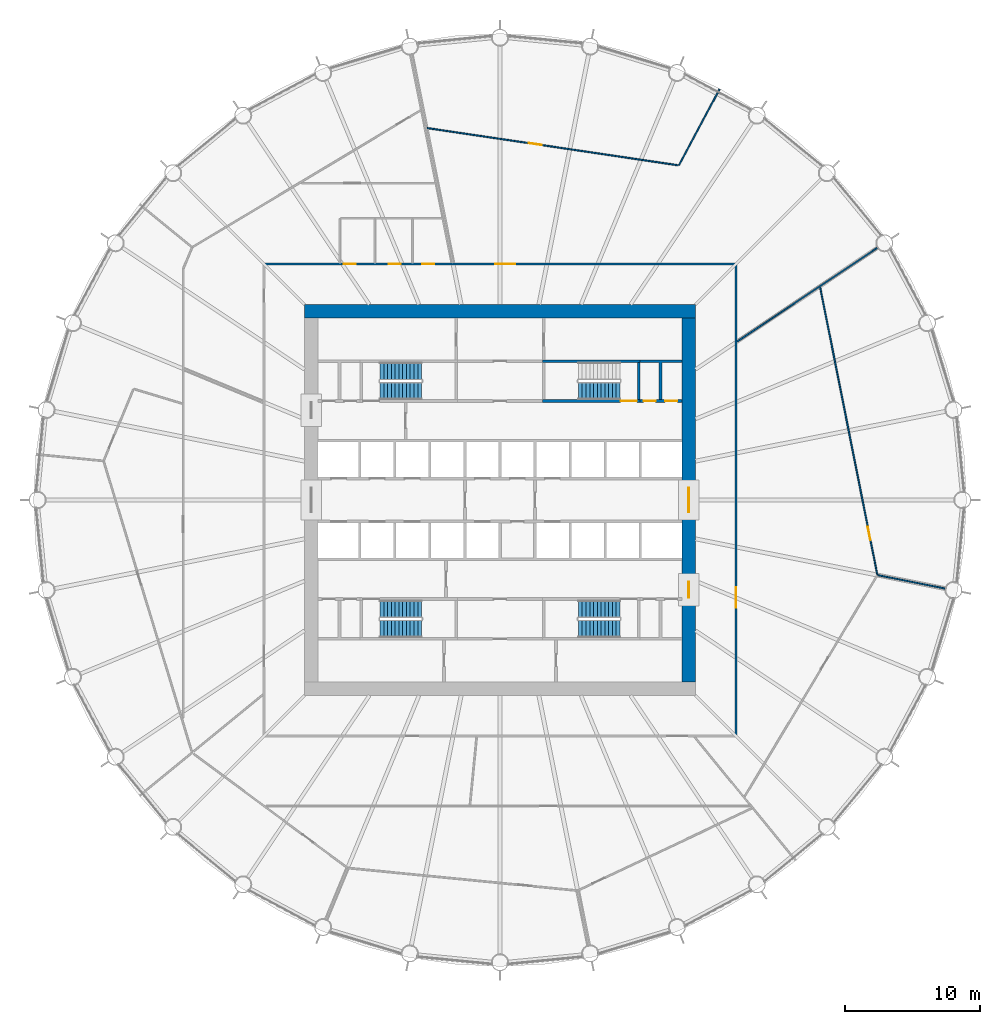
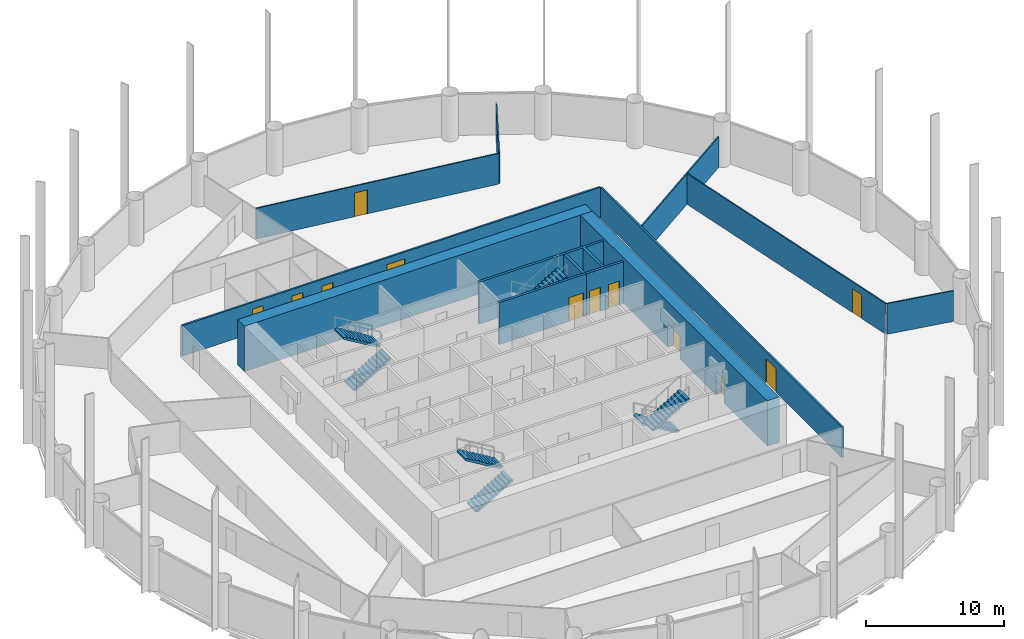
# One storey, part 7 of 10: 14 walls, 12 doors, 7 stair flights, 12 openings, 4 elements without a shape of their own.
"""IFC4 building model written with IfcOpenShell, lengths in metres."""

from ifc_helpers import new_model, si_unit, direction, frame, frame_2d, origin, place, context, subcontext, project, spatial, polyline, rectangle, outline, extrude, material, layer, layer_set, type_object, element, fill, aggregate, save


model = new_model("IFC4")

# Units and contexts
model_context = context("Model", 3, precision=1e-05, world=origin(), true_north=direction((0.0, 1.0)))
body_context = subcontext(model_context, "Body", "Model", "MODEL_VIEW")
ifc_project = project(units=[si_unit("LENGTHUNIT", "METRE"), si_unit("AREAUNIT", "SQUARE_METRE"), si_unit("VOLUMEUNIT", "CUBIC_METRE"), si_unit("PLANEANGLEUNIT", "RADIAN"), si_unit("MASSUNIT", "GRAM", prefix="KILO")], contexts=[model_context])

# Site, building, storey
site_placement = place(None, origin())
site = spatial("IfcSite", under=ifc_project, at=site_placement, CompositionType="ELEMENT")
building_placement = place(site_placement, origin())
building = spatial("IfcBuilding", under=site, at=building_placement, Name="Corvane Civic Tower", CompositionType="ELEMENT")
storey_placement = place(building_placement, frame((0.0, 0.0, 130.5)))
storey = spatial("IfcBuildingStorey", under=building, at=storey_placement, Name="L30", CompositionType="ELEMENT", Elevation=130.5)

# Wall
ifc_material_1 = material(Name="Concrete C70/85", Category="concrete")
ifc_layer_1 = layer(ifc_material_1, 1.0)
ifc_layer_set_1 = layer_set([ifc_layer_1], Name="Concrete C70/85")
wall_type_1 = type_object("IfcWallType", Name="CORE WALL 1000 C70/85", PredefinedType="SHEAR", material=ifc_layer_set_1)
wall_1_placement = place(storey_placement, frame((-14.5, 14.0, 0.0), z_axis=(0.0, 0.0, 1.0), x_axis=(1.0, 0.0, 0.0)))
element("IfcWall", 1, at=wall_1_placement, inside=storey, type_object=wall_type_1, Name="W-L30-core-N", PredefinedType="SHEAR", context=body_context, shape_type="SweptSolid", body=[
    extrude(rectangle(XDim=29.0, YDim=1.0, at=frame_2d((14.5, 0.0))), origin(), (0.0, 0.0, 1.0), 4.0),
])

# Wall, openings, doors
wall_2_placement = place(storey_placement, frame((14.0, -13.5, 0.0), z_axis=(0.0, 0.0, 1.0), x_axis=(0.0, 1.0, 0.0)))
wall_2 = element("IfcWall", 2, at=wall_2_placement, inside=storey, type_object=wall_type_1, Name="W-L30-core-E", PredefinedType="SHEAR", context=body_context, shape_type="SweptSolid", body=[
    extrude(rectangle(XDim=27.0, YDim=1.0, at=frame_2d((13.5, 0.0))), origin(), (0.0, 0.0, 1.0), 4.0),
])
opening_1_placement = place(wall_2_placement, frame((12.60009765625, 0.0, 0.0)))
opening_1 = element("IfcOpeningElement", 3, at=opening_1_placement, cuts=wall_2, Name="Opening L30.C27", PredefinedType="OPENING", context=body_context, shape_type="SweptSolid", body=[
    extrude(rectangle(XDim=1.800048828125, YDim=2.10009765625, at=frame_2d((0.89990234375, 1.050048828125))), frame((0.0, 0.510009765625, 0.0), z_axis=(0.0, -1.0, 0.0), x_axis=(1.0, 0.0, 0.0)), (0.0, 0.0, 1.0), 1.02001953125),
])
opening_2_placement = place(wall_2_placement, frame((6.25, 0.0, 0.0)))
opening_2 = element("IfcOpeningElement", 4, at=opening_2_placement, cuts=wall_2, Name="Opening L30.C29", PredefinedType="OPENING", context=body_context, shape_type="SweptSolid", body=[
    extrude(rectangle(XDim=1.199951171875, YDim=2.10009765625, at=frame_2d((0.60009765625, 1.050048828125))), frame((0.0, 0.510009765625, 0.0), z_axis=(0.0, -1.0, 0.0), x_axis=(1.0, 0.0, 0.0)), (0.0, 0.0, 1.0), 1.02001953125),
])
ifc_material_2 = material(Name="Steel fire door leaf", Category="steel")
door_type_1 = type_object("IfcDoorType", Name="CR-DOOR-CORE-1800", OperationType="DOUBLE_DOOR_SINGLE_SWING", PredefinedType="DOOR", material=ifc_material_2)
door_1_placement = place(opening_1_placement, origin())
door_1 = element("IfcDoor", 5, at=door_1_placement, inside=storey, type_object=door_type_1, Name="L30 door", OperationType="DOUBLE_DOOR_SINGLE_SWING", OverallHeight=2.10009765625, OverallWidth=1.800048828125, PredefinedType="DOOR", context=body_context, shape_type="SweptSolid", body=[
    extrude(rectangle(XDim=1.800048828125, YDim=2.10009765625, at=frame_2d((0.89990234375, 1.050048828125))), frame((0.0, 0.02490234375, 0.0), z_axis=(0.0, -1.0, 0.0), x_axis=(1.0, 0.0, 0.0)), (0.0, 0.0, 1.0), 0.050048828125),
])
fill(opening_1, door_1)
door_2_placement = place(opening_2_placement, origin())
door_2 = element("IfcDoor", 6, at=door_2_placement, inside=storey, type_object=door_type_1, Name="L30 door", OperationType="DOUBLE_DOOR_SINGLE_SWING", OverallHeight=2.10009765625, OverallWidth=1.199951171875, PredefinedType="DOOR", context=body_context, shape_type="SweptSolid", body=[
    extrude(rectangle(XDim=1.199951171875, YDim=2.10009765625, at=frame_2d((0.60009765625, 1.050048828125))), frame((0.0, 0.02490234375, 0.0), z_axis=(0.0, -1.0, 0.0), x_axis=(1.0, 0.0, 0.0)), (0.0, 0.0, 1.0), 0.050048828125),
])
fill(opening_2, door_2)

ifc_material_3 = material(Name="Concrete C30/37", Category="concrete")
ifc_layer_2 = layer(ifc_material_3, 0.199951171875)
ifc_layer_set_2 = layer_set([ifc_layer_2], Name="Concrete C30/37")
wall_type_2 = type_object("IfcWallType", Name="CR-WALL-200", PredefinedType="PARTITIONING", material=ifc_layer_set_2)
wall_3_placement = place(storey_placement, frame((10.39990234375, 7.35009765625, 0.0), z_axis=(0.0, 0.0, 1.0), x_axis=(1.0, 0.0, 0.0)))
wall_3 = element("IfcWall", 7, at=wall_3_placement, inside=storey, type_object=wall_type_2, Name="L30 core partition wall", PredefinedType="PARTITIONING", context=body_context, shape_type="SweptSolid", body=[
    extrude(rectangle(XDim=3.10009765625, YDim=0.199951171875, at=frame_2d((1.550048828125, 0.0))), origin(), (0.0, 0.0, 1.0), 3.699951171875),
])
opening_3_placement = place(wall_3_placement, frame((0.25, 0.0, 0.0)))
opening_3 = element("IfcOpeningElement", 8, at=opening_3_placement, cuts=wall_3, Name="Opening L30.C14", PredefinedType="OPENING", context=body_context, shape_type="SweptSolid", body=[
    extrude(rectangle(XDim=0.89990234375, YDim=2.10009765625, at=frame_2d((0.449951171875, 1.050048828125))), frame((0.0, 0.10986328125, 0.0), z_axis=(0.0, -1.0, 0.0), x_axis=(1.0, 0.0, 0.0)), (0.0, 0.0, 1.0), 0.219970703125),
])
opening_4_placement = place(wall_3_placement, frame((1.85009765625, 0.0, 0.0)))
opening_4 = element("IfcOpeningElement", 9, at=opening_4_placement, cuts=wall_3, Name="Opening L30.C15", PredefinedType="OPENING", context=body_context, shape_type="SweptSolid", body=[
    extrude(rectangle(XDim=0.89990234375, YDim=2.10009765625, at=frame_2d((0.449951171875, 1.050048828125))), frame((0.0, 0.10986328125, 0.0), z_axis=(0.0, -1.0, 0.0), x_axis=(1.0, 0.0, 0.0)), (0.0, 0.0, 1.0), 0.219970703125),
])
ifc_material_4 = material(Name="Steel fire door leaf", Category="steel")
door_type_2 = type_object("IfcDoorType", Name="CR-DOOR-900", OperationType="SINGLE_SWING_LEFT", PredefinedType="DOOR", material=ifc_material_4)
door_3_placement = place(opening_3_placement, origin())
door_3 = element("IfcDoor", 10, at=door_3_placement, inside=storey, type_object=door_type_2, Name="L30 door", OperationType="SINGLE_SWING_LEFT", OverallHeight=2.10009765625, OverallWidth=0.89990234375, PredefinedType="DOOR", context=body_context, shape_type="SweptSolid", body=[
    extrude(rectangle(XDim=0.89990234375, YDim=2.10009765625, at=frame_2d((0.449951171875, 1.050048828125))), frame((0.0, 0.02490234375, 0.0), z_axis=(0.0, -1.0, 0.0), x_axis=(1.0, 0.0, 0.0)), (0.0, 0.0, 1.0), 0.050048828125),
])
fill(opening_3, door_3)
door_4_placement = place(opening_4_placement, origin())
door_4 = element("IfcDoor", 11, at=door_4_placement, inside=storey, type_object=door_type_2, Name="L30 door", OperationType="SINGLE_SWING_LEFT", OverallHeight=2.10009765625, OverallWidth=0.89990234375, PredefinedType="DOOR", context=body_context, shape_type="SweptSolid", body=[
    extrude(rectangle(XDim=0.89990234375, YDim=2.10009765625, at=frame_2d((0.449951171875, 1.050048828125))), frame((0.0, 0.02490234375, 0.0), z_axis=(0.0, -1.0, 0.0), x_axis=(1.0, 0.0, 0.0)), (0.0, 0.0, 1.0), 0.050048828125),
])
fill(opening_4, door_4)

# Walls
wall_4_placement = place(storey_placement, origin())
element("IfcWall", 12, at=wall_4_placement, inside=storey, type_object=wall_type_2, Name="L30 core partition wall", PredefinedType="PARTITIONING", context=body_context, shape_type="SweptSolid", body=[
    extrude(outline(polyline([(13.5, 10.39990234375), (13.5, 10.199951171875), (12.0, 10.199951171875), (12.0, 7.449951171875), (11.800048828125, 7.449951171875), (11.800048828125, 10.199951171875), (10.39990234375, 10.199951171875), (10.39990234375, 10.39990234375), (13.5, 10.39990234375)])), origin(), (0.0, 0.0, 1.0), 3.699951171875),
])
ifc_material_5 = material(Name="Plasterboard")
ifc_layer_3 = layer(ifc_material_5, 0.10009765625)
ifc_layer_set_3 = layer_set([ifc_layer_3], Name="Plasterboard")
wall_type_3 = type_object("IfcWallType", Name="Partition 100 plasterboard on studs", PredefinedType="PARTITIONING", material=ifc_layer_set_3)
wall_5_placement = place(storey_placement, frame((28.029052734375, -5.5751953125, 0.0), z_axis=(0.0, 0.0, 1.0), x_axis=(0.980783206966, -0.195100745599, 0.0)))
element("IfcWall", 13, at=wall_5_placement, inside=storey, type_object=wall_type_3, Name="Partition L30.019", PredefinedType="PARTITIONING", context=body_context, shape_type="SweptSolid", body=[
    extrude(rectangle(XDim=5.086669921875, YDim=0.10009765625, at=frame_2d((2.54345703125, 0.0))), origin(), (0.0, 0.0, 1.0), 2.699951171875),
])

# Wall, opening, door
wall_6_placement = place(storey_placement, frame((23.747314453125, 15.7841796875, 0.0), z_axis=(0.0, 0.0, 1.0), x_axis=(0.195087930111, -0.98078575618, 0.0)))
wall_6 = element("IfcWall", 14, at=wall_6_placement, inside=storey, type_object=wall_type_3, Name="Partition L30.020", PredefinedType="PARTITIONING", context=body_context, shape_type="SweptSolid", body=[
    extrude(rectangle(XDim=21.737548828125, YDim=0.10009765625, at=frame_2d((10.86865234375, 0.0))), origin(), (0.0, 0.0, 1.0), 2.699951171875),
])
opening_5_placement = place(wall_6_placement, frame((18.12255859375, 0.0, 0.0)))
opening_5 = element("IfcOpeningElement", 15, at=opening_5_placement, cuts=wall_6, Name="Opening L30.003", PredefinedType="OPENING", context=body_context, shape_type="SweptSolid", body=[
    extrude(rectangle(XDim=1.0, YDim=2.10009765625, at=frame_2d((0.5, 1.050048828125))), frame((0.0, 0.06005859375, 0.0), z_axis=(0.0, -1.0, 0.0), x_axis=(1.0, 0.0, 0.0)), (0.0, 0.0, 1.0), 0.1201171875),
])
ifc_material_6 = material(Name="Timber", Category="wood")
door_type_3 = type_object("IfcDoorType", Name="Single door 1000", OperationType="NOTDEFINED", PredefinedType="DOOR", material=ifc_material_6)
door_5_placement = place(opening_5_placement, origin())
door_5 = element("IfcDoor", 16, at=door_5_placement, inside=storey, type_object=door_type_3, Name="Door L30.003", OperationType="SINGLE_SWING_LEFT", OverallHeight=2.10009765625, OverallWidth=1.0, PredefinedType="DOOR", context=body_context, shape_type="SweptSolid", body=[
    extrude(rectangle(XDim=1.0, YDim=2.10009765625, at=frame_2d((0.5, 1.050048828125))), frame((0.0, 0.02490234375, 0.0), z_axis=(0.0, -1.0, 0.0), x_axis=(1.0, 0.0, 0.0)), (0.0, 0.0, 1.0), 0.050048828125),
])
fill(opening_5, door_5)

# Wall
wall_7_placement = place(storey_placement, frame((17.602783203125, 11.76171875, 0.0), z_axis=(0.0, 0.0, 1.0), x_axis=(0.83146363145, 0.555579183893, 0.0)))
element("IfcWall", 17, at=wall_7_placement, inside=storey, type_object=wall_type_3, Name="Partition L30.025", PredefinedType="PARTITIONING", context=body_context, shape_type="SweptSolid", body=[
    extrude(rectangle(XDim=12.494384765625, YDim=0.10009765625, at=frame_2d((6.2470703125, 0.0))), origin(), (0.0, 0.0, 1.0), 2.699951171875),
])

# Wall, opening, door
wall_8_placement = place(storey_placement, frame((-5.420166015625, 27.59130859375, 0.0), z_axis=(0.0, 0.0, 1.0), x_axis=(0.989177307593, -0.146725097185, 0.0)))
wall_8 = element("IfcWall", 18, at=wall_8_placement, inside=storey, type_object=wall_type_3, Name="Partition L30.036", PredefinedType="PARTITIONING", context=body_context, shape_type="SweptSolid", body=[
    extrude(rectangle(XDim=18.855712890625, YDim=0.10009765625, at=frame_2d((9.427734375, 0.0))), origin(), (0.0, 0.0, 1.0), 2.699951171875),
])
opening_6_placement = place(wall_8_placement, frame((7.625, 0.0, 0.0)))
opening_6 = element("IfcOpeningElement", 19, at=opening_6_placement, cuts=wall_8, Name="Opening L30.001", PredefinedType="OPENING", context=body_context, shape_type="SweptSolid", body=[
    extrude(rectangle(XDim=1.0, YDim=2.10009765625, at=frame_2d((0.5, 1.050048828125))), frame((0.0, 0.06005859375, 0.0), z_axis=(0.0, -1.0, 0.0), x_axis=(1.0, 0.0, 0.0)), (0.0, 0.0, 1.0), 0.1201171875),
])
door_6_placement = place(opening_6_placement, origin())
door_6 = element("IfcDoor", 20, at=door_6_placement, inside=storey, type_object=door_type_3, Name="Door L30.001", OperationType="SINGLE_SWING_LEFT", OverallHeight=2.10009765625, OverallWidth=1.0, PredefinedType="DOOR", context=body_context, shape_type="SweptSolid", body=[
    extrude(rectangle(XDim=1.0, YDim=2.10009765625, at=frame_2d((0.5, 1.050048828125))), frame((0.0, 0.02490234375, 0.0), z_axis=(0.0, -1.0, 0.0), x_axis=(1.0, 0.0, 0.0)), (0.0, 0.0, 1.0), 0.050048828125),
])
fill(opening_6, door_6)

# Wall
wall_9_placement = place(storey_placement, frame((13.282958984375, 24.8505859375, 0.0), z_axis=(0.0, 0.0, 1.0), x_axis=(0.471399363954, 0.881919860114, 0.0)))
element("IfcWall", 21, at=wall_9_placement, inside=storey, type_object=wall_type_3, Name="Partition L30.037", PredefinedType="PARTITIONING", context=body_context, shape_type="SweptSolid", body=[
    extrude(rectangle(XDim=6.372314453125, YDim=0.10009765625, at=frame_2d((3.18603515625, 0.0))), origin(), (0.0, 0.0, 1.0), 2.699951171875),
])

# Wall, opening, door
ifc_material_7 = material(Name="Concrete C50/60", Category="concrete")
ifc_layer_4 = layer(ifc_material_7, 0.199951171875)
ifc_layer_set_4 = layer_set([ifc_layer_4], Name="Concrete C50/60")
wall_type_4 = type_object("IfcWallType", Name="ST-WALL-200", PredefinedType="SHEAR", material=ifc_layer_set_4)
wall_10_placement = place(storey_placement, frame((3.14990234375, 7.35009765625, 0.0), z_axis=(0.0, 0.0, 1.0), x_axis=(1.0, 0.0, 0.0)))
wall_10 = element("IfcWall", 22, at=wall_10_placement, inside=storey, type_object=wall_type_4, Name="L30 stair enclosure wall", PredefinedType="SHEAR", context=body_context, shape_type="SweptSolid", body=[
    extrude(rectangle(XDim=7.25, YDim=0.199951171875, at=frame_2d((3.625, 0.0))), origin(), (0.0, 0.0, 1.0), 3.699951171875),
])
opening_7_placement = place(wall_10_placement, frame((5.800048828125, 0.0, 0.0)))
opening_7 = element("IfcOpeningElement", 23, at=opening_7_placement, cuts=wall_10, Name="Opening L30.C18", PredefinedType="OPENING", context=body_context, shape_type="SweptSolid", body=[
    extrude(rectangle(XDim=1.199951171875, YDim=2.10009765625, at=frame_2d((0.60009765625, 1.050048828125))), frame((0.0, 0.10986328125, 0.0), z_axis=(0.0, -1.0, 0.0), x_axis=(1.0, 0.0, 0.0)), (0.0, 0.0, 1.0), 0.219970703125),
])
ifc_material_8 = material(Name="Steel fire door leaf", Category="steel")
door_type_4 = type_object("IfcDoorType", Name="ST-DOOR-1200", OperationType="SINGLE_SWING_RIGHT", PredefinedType="DOOR", material=ifc_material_8)
door_7_placement = place(opening_7_placement, origin())
door_7 = element("IfcDoor", 24, at=door_7_placement, inside=storey, type_object=door_type_4, Name="L30 stair door", OperationType="SINGLE_SWING_RIGHT", OverallHeight=2.10009765625, OverallWidth=1.199951171875, PredefinedType="DOOR", context=body_context, shape_type="SweptSolid", body=[
    extrude(rectangle(XDim=1.199951171875, YDim=2.10009765625, at=frame_2d((0.60009765625, 1.050048828125))), frame((0.0, 0.02490234375, 0.0), z_axis=(0.0, -1.0, 0.0), x_axis=(1.0, 0.0, 0.0)), (0.0, 0.0, 1.0), 0.050048828125),
])
fill(opening_7, door_7)

# Walls
wall_11_placement = place(storey_placement, origin())
element("IfcWall", 25, at=wall_11_placement, inside=storey, type_object=wall_type_4, Name="L30 stair enclosure wall", PredefinedType="SHEAR", context=body_context, shape_type="SweptSolid", body=[
    extrude(outline(polyline([(10.39990234375, 10.199951171875), (3.14990234375, 10.199951171875), (3.14990234375, 10.39990234375), (10.39990234375, 10.39990234375), (10.39990234375, 10.199951171875)])), origin(), (0.0, 0.0, 1.0), 3.699951171875),
])
wall_12_placement = place(storey_placement, origin())
element("IfcWall", 26, at=wall_12_placement, inside=storey, type_object=wall_type_4, Name="L30 stair enclosure wall", PredefinedType="SHEAR", context=body_context, shape_type="SweptSolid", body=[
    extrude(outline(polyline([(10.39990234375, 7.449951171875), (10.199951171875, 7.449951171875), (10.199951171875, 10.199951171875), (10.39990234375, 10.199951171875), (10.39990234375, 7.449951171875)])), origin(), (0.0, 0.0, 1.0), 3.699951171875),
])

# Wall, opening, door
ifc_material_9 = material(Name="Plasterboard")
ifc_layer_5 = layer(ifc_material_9, 0.14990234375)
ifc_layer_set_5 = layer_set([ifc_layer_5], Name="Plasterboard")
wall_type_5 = type_object("IfcWallType", Name="Tenancy wall 150 EI 60", PredefinedType="PARTITIONING", material=ifc_layer_set_5)
wall_13_placement = place(storey_placement, frame((17.5, -17.425048828125, 0.0), z_axis=(0.0, 0.0, 1.0), x_axis=(0.0, 1.0, 0.0)))
wall_13 = element("IfcWall", 27, at=wall_13_placement, inside=storey, type_object=wall_type_5, Name="Partition L30.016", PredefinedType="PARTITIONING", context=body_context, shape_type="SweptSolid", body=[
    extrude(rectangle(XDim=34.85009765625, YDim=0.14990234375, at=frame_2d((17.425048828125, 0.0))), origin(), (0.0, 0.0, 1.0), 2.699951171875),
])
opening_8_placement = place(wall_13_placement, frame((9.447509765625, 0.0, 0.0)))
opening_8 = element("IfcOpeningElement", 28, at=opening_8_placement, cuts=wall_13, Name="Opening L30.005", PredefinedType="OPENING", context=body_context, shape_type="SweptSolid", body=[
    extrude(rectangle(XDim=1.5, YDim=2.10009765625, at=frame_2d((0.75, 1.050048828125))), frame((0.0, 0.0849609375, 0.0), z_axis=(0.0, -1.0, 0.0), x_axis=(1.0, 0.0, 0.0)), (0.0, 0.0, 1.0), 0.169921875),
])
ifc_material_10 = material(Name="Steel and timber", Category="steel")
door_type_5 = type_object("IfcDoorType", Name="Fire door FD60 double 1500", OperationType="NOTDEFINED", PredefinedType="DOOR", material=ifc_material_10)
door_8_placement = place(opening_8_placement, frame((1.5, 0.0, 0.0), z_axis=(0.0, 0.0, 1.0), x_axis=(-1.0, 0.0, 0.0)))
door_8 = element("IfcDoor", 29, at=door_8_placement, inside=storey, type_object=door_type_5, Name="Door L30.005", OperationType="DOUBLE_DOOR_SINGLE_SWING", OverallHeight=2.10009765625, OverallWidth=1.5, PredefinedType="DOOR", context=body_context, shape_type="SweptSolid", body=[
    extrude(rectangle(XDim=1.5, YDim=2.10009765625, at=frame_2d((0.75, 1.050048828125))), frame((0.0, 0.02490234375, 0.0), z_axis=(0.0, -1.0, 0.0), x_axis=(1.0, 0.0, 0.0)), (0.0, 0.0, 1.0), 0.050048828125),
])
fill(opening_8, door_8)

# Wall, openings, doors
wall_14_placement = place(storey_placement, frame((-17.425048828125, 17.5, 0.0), z_axis=(0.0, 0.0, 1.0), x_axis=(1.0, 0.0, 0.0)))
wall_14 = element("IfcWall", 30, at=wall_14_placement, inside=storey, type_object=wall_type_5, Name="Partition L30.027", PredefinedType="PARTITIONING", context=body_context, shape_type="SweptSolid", body=[
    extrude(rectangle(XDim=34.85009765625, YDim=0.14990234375, at=frame_2d((17.425048828125, 0.0))), origin(), (0.0, 0.0, 1.0), 2.699951171875),
])
opening_9_placement = place(wall_14_placement, frame((17.05859375, 0.0, 0.0)))
opening_9 = element("IfcOpeningElement", 31, at=opening_9_placement, cuts=wall_14, Name="Opening L30.002", PredefinedType="OPENING", context=body_context, shape_type="SweptSolid", body=[
    extrude(rectangle(XDim=1.5, YDim=2.10009765625, at=frame_2d((0.75, 1.050048828125))), frame((0.0, 0.0849609375, 0.0), z_axis=(0.0, -1.0, 0.0), x_axis=(1.0, 0.0, 0.0)), (0.0, 0.0, 1.0), 0.169921875),
])
opening_10_placement = place(wall_14_placement, frame((9.157470703125, 0.0, 0.0)))
opening_10 = element("IfcOpeningElement", 32, at=opening_10_placement, cuts=wall_14, Name="Opening L30.019", PredefinedType="OPENING", context=body_context, shape_type="SweptSolid", body=[
    extrude(rectangle(XDim=0.89990234375, YDim=2.10009765625, at=frame_2d((0.449951171875, 1.050048828125))), frame((0.0, 0.0849609375, 0.0), z_axis=(0.0, -1.0, 0.0), x_axis=(1.0, 0.0, 0.0)), (0.0, 0.0, 1.0), 0.169921875),
])
opening_11_placement = place(wall_14_placement, frame((11.655029296875, 0.0, 0.0)))
opening_11 = element("IfcOpeningElement", 33, at=opening_11_placement, cuts=wall_14, Name="Opening L30.020", PredefinedType="OPENING", context=body_context, shape_type="SweptSolid", body=[
    extrude(rectangle(XDim=0.89990234375, YDim=2.10009765625, at=frame_2d((0.449951171875, 1.050048828125))), frame((0.0, 0.0849609375, 0.0), z_axis=(0.0, -1.0, 0.0), x_axis=(1.0, 0.0, 0.0)), (0.0, 0.0, 1.0), 0.169921875),
])
opening_12_placement = place(wall_14_placement, frame((5.8408203125, 0.0, 0.0)))
opening_12 = element("IfcOpeningElement", 34, at=opening_12_placement, cuts=wall_14, Name="Opening L30.021", PredefinedType="OPENING", context=body_context, shape_type="SweptSolid", body=[
    extrude(rectangle(XDim=0.89990234375, YDim=2.10009765625, at=frame_2d((0.449951171875, 1.050048828125))), frame((0.0, 0.0849609375, 0.0), z_axis=(0.0, -1.0, 0.0), x_axis=(1.0, 0.0, 0.0)), (0.0, 0.0, 1.0), 0.169921875),
])
ifc_material_11 = material(Name="Steel and timber", Category="steel")
door_type_6 = type_object("IfcDoorType", Name="Fire door FD30S 900", OperationType="NOTDEFINED", PredefinedType="DOOR", material=ifc_material_11)
door_9_placement = place(opening_10_placement, origin())
door_9 = element("IfcDoor", 35, at=door_9_placement, inside=storey, type_object=door_type_6, Name="Door L30.019", OperationType="SINGLE_SWING_LEFT", OverallHeight=2.10009765625, OverallWidth=0.89990234375, PredefinedType="DOOR", context=body_context, shape_type="SweptSolid", body=[
    extrude(rectangle(XDim=0.89990234375, YDim=2.10009765625, at=frame_2d((0.449951171875, 1.050048828125))), frame((0.0, 0.02490234375, 0.0), z_axis=(0.0, -1.0, 0.0), x_axis=(1.0, 0.0, 0.0)), (0.0, 0.0, 1.0), 0.050048828125),
])
fill(opening_10, door_9)
door_10_placement = place(opening_11_placement, origin())
door_10 = element("IfcDoor", 36, at=door_10_placement, inside=storey, type_object=door_type_6, Name="Door L30.020", OperationType="SINGLE_SWING_RIGHT", OverallHeight=2.10009765625, OverallWidth=0.89990234375, PredefinedType="DOOR", context=body_context, shape_type="SweptSolid", body=[
    extrude(rectangle(XDim=0.89990234375, YDim=2.10009765625, at=frame_2d((0.449951171875, 1.050048828125))), frame((0.0, 0.02490234375, 0.0), z_axis=(0.0, -1.0, 0.0), x_axis=(1.0, 0.0, 0.0)), (0.0, 0.0, 1.0), 0.050048828125),
])
fill(opening_11, door_10)
door_11_placement = place(opening_12_placement, origin())
door_11 = element("IfcDoor", 37, at=door_11_placement, inside=storey, type_object=door_type_6, Name="Door L30.021", OperationType="SINGLE_SWING_LEFT", OverallHeight=2.10009765625, OverallWidth=0.89990234375, PredefinedType="DOOR", context=body_context, shape_type="SweptSolid", body=[
    extrude(rectangle(XDim=0.89990234375, YDim=2.10009765625, at=frame_2d((0.449951171875, 1.050048828125))), frame((0.0, 0.02490234375, 0.0), z_axis=(0.0, -1.0, 0.0), x_axis=(1.0, 0.0, 0.0)), (0.0, 0.0, 1.0), 0.050048828125),
])
fill(opening_12, door_11)
door_12_placement = place(opening_9_placement, origin())
door_12 = element("IfcDoor", 38, at=door_12_placement, inside=storey, type_object=door_type_5, Name="Door L30.002", OperationType="DOUBLE_DOOR_SINGLE_SWING", OverallHeight=2.10009765625, OverallWidth=1.5, PredefinedType="DOOR", context=body_context, shape_type="SweptSolid", body=[
    extrude(rectangle(XDim=1.5, YDim=2.10009765625, at=frame_2d((0.75, 1.050048828125))), frame((0.0, 0.02490234375, 0.0), z_axis=(0.0, -1.0, 0.0), x_axis=(1.0, 0.0, 0.0)), (0.0, 0.0, 1.0), 0.050048828125),
])
fill(opening_9, door_12)

# Stair, stair flight
ifc_material_12 = material(Name="Concrete C40/50", Category="concrete")
stair_type = type_object("IfcStairType", Name="ST-STAIR-HALFTURN", PredefinedType="HALF_TURN_STAIR", material=ifc_material_12)
stair_1_placement = place(storey_placement, origin())
stair_1 = element("IfcStair", 39, at=stair_1_placement, inside=storey, type_object=stair_type, Name="L30 Exit stair ST1", PredefinedType="HALF_TURN_STAIR")
ifc_material_13 = material(Name="Concrete C40/50", Category="concrete")
stair_flight_type = type_object("IfcStairFlightType", Name="ST-FLIGHT-RC", PredefinedType="STRAIGHT", material=ifc_material_13)
stair_flight_1_placement = place(storey_placement, frame((5.820068359375, 8.10009765625, 2.0), z_axis=(0.0, 0.0, 1.0), x_axis=(1.0, 0.0, 0.0)))
stair_flight_1 = element("IfcStairFlight", 40, at=stair_flight_1_placement, type_object=stair_flight_type, Name="ST1 flight 2", NumberOfRisers=12, NumberOfTreads=11, PredefinedType="STRAIGHT", RiserHeight=0.166666667, TreadLength=0.28, context=body_context, shape_type="SweptSolid", body=[
    extrude(outline(polyline([(0.0, 0.0), (0.0, 0.166748046875), (0.280029296875, 0.166748046875), (0.280029296875, 0.333251953125), (0.56005859375, 0.333251953125), (0.56005859375, 0.5), (0.840087890625, 0.5), (0.840087890625, 0.666748046875), (1.1201171875, 0.666748046875), (1.1201171875, 0.833251953125), (1.39990234375, 0.833251953125), (1.39990234375, 1.0), (1.679931640625, 1.0), (1.679931640625, 1.166748046875), (1.9599609375, 1.166748046875), (1.9599609375, 1.333251953125), (2.239990234375, 1.333251953125), (2.239990234375, 1.5), (2.52001953125, 1.5), (2.52001953125, 1.666748046875), (2.800048828125, 1.666748046875), (2.800048828125, 1.833251953125), (3.080078125, 1.833251953125), (3.080078125, 2.0), (3.080078125, 1.658935546875), (0.29296875, 0.0), (0.0, 0.0)])), frame((0.0, 0.64990234375, 0.0), z_axis=(0.0, -1.0, 0.0), x_axis=(1.0, 0.0, 0.0)), (0.0, 0.0, 1.0), 1.300048828125),
])
aggregate(stair_1, [stair_flight_1])

# Stair, stair flights
stair_2_placement = place(storey_placement, origin())
stair_2 = element("IfcStair", 41, at=stair_2_placement, inside=storey, type_object=stair_type, Name="L30 Exit stair ST2", PredefinedType="HALF_TURN_STAIR")
stair_flight_2_placement = place(storey_placement, frame((8.89990234375, -8.10009765625, 0.0), z_axis=(0.0, 0.0, 1.0), x_axis=(-1.0, 0.0, 0.0)))
stair_flight_2 = element("IfcStairFlight", 42, at=stair_flight_2_placement, type_object=stair_flight_type, Name="ST2 flight 1", NumberOfRisers=12, NumberOfTreads=11, PredefinedType="STRAIGHT", RiserHeight=0.166666667, TreadLength=0.28, context=body_context, shape_type="SweptSolid", body=[
    extrude(outline(polyline([(0.0, 0.0), (0.0, 0.166748046875), (0.280029296875, 0.166748046875), (0.280029296875, 0.333251953125), (0.56005859375, 0.333251953125), (0.56005859375, 0.5), (0.840087890625, 0.5), (0.840087890625, 0.666748046875), (1.1201171875, 0.666748046875), (1.1201171875, 0.833251953125), (1.39990234375, 0.833251953125), (1.39990234375, 1.0), (1.679931640625, 1.0), (1.679931640625, 1.166748046875), (1.9599609375, 1.166748046875), (1.9599609375, 1.333251953125), (2.239990234375, 1.333251953125), (2.239990234375, 1.5), (2.52001953125, 1.5), (2.52001953125, 1.666748046875), (2.800048828125, 1.666748046875), (2.800048828125, 1.833251953125), (3.080078125, 1.833251953125), (3.080078125, 2.0), (3.080078125, 1.658935546875), (0.29296875, 0.0), (0.0, 0.0)])), frame((0.0, 0.64990234375, 0.0), z_axis=(0.0, -1.0, 0.0), x_axis=(1.0, 0.0, 0.0)), (0.0, 0.0, 1.0), 1.300048828125),
])
stair_flight_3_placement = place(storey_placement, frame((5.820068359375, -9.550048828125, 2.0), z_axis=(0.0, 0.0, 1.0), x_axis=(1.0, 0.0, 0.0)))
stair_flight_3 = element("IfcStairFlight", 43, at=stair_flight_3_placement, type_object=stair_flight_type, Name="ST2 flight 2", NumberOfRisers=12, NumberOfTreads=11, PredefinedType="STRAIGHT", RiserHeight=0.166666667, TreadLength=0.28, context=body_context, shape_type="SweptSolid", body=[
    extrude(outline(polyline([(0.0, 0.0), (0.0, 0.166748046875), (0.280029296875, 0.166748046875), (0.280029296875, 0.333251953125), (0.56005859375, 0.333251953125), (0.56005859375, 0.5), (0.840087890625, 0.5), (0.840087890625, 0.666748046875), (1.1201171875, 0.666748046875), (1.1201171875, 0.833251953125), (1.39990234375, 0.833251953125), (1.39990234375, 1.0), (1.679931640625, 1.0), (1.679931640625, 1.166748046875), (1.9599609375, 1.166748046875), (1.9599609375, 1.333251953125), (2.239990234375, 1.333251953125), (2.239990234375, 1.5), (2.52001953125, 1.5), (2.52001953125, 1.666748046875), (2.800048828125, 1.666748046875), (2.800048828125, 1.833251953125), (3.080078125, 1.833251953125), (3.080078125, 2.0), (3.080078125, 1.658935546875), (0.29296875, 0.0), (0.0, 0.0)])), frame((0.0, 0.64990234375, 0.0), z_axis=(0.0, -1.0, 0.0), x_axis=(1.0, 0.0, 0.0)), (0.0, 0.0, 1.0), 1.300048828125),
])
aggregate(stair_2, [stair_flight_2, stair_flight_3])

stair_3_placement = place(storey_placement, origin())
stair_3 = element("IfcStair", 44, at=stair_3_placement, inside=storey, type_object=stair_type, Name="L30 Exit stair ST3", PredefinedType="HALF_TURN_STAIR")
stair_flight_4_placement = place(storey_placement, frame((-8.89990234375, -9.550048828125, 0.0), z_axis=(0.0, 0.0, 1.0), x_axis=(1.0, 0.0, 0.0)))
stair_flight_4 = element("IfcStairFlight", 45, at=stair_flight_4_placement, type_object=stair_flight_type, Name="ST3 flight 1", NumberOfRisers=12, NumberOfTreads=11, PredefinedType="STRAIGHT", RiserHeight=0.166666667, TreadLength=0.28, context=body_context, shape_type="SweptSolid", body=[
    extrude(outline(polyline([(0.0, 0.0), (0.0, 0.166748046875), (0.280029296875, 0.166748046875), (0.280029296875, 0.333251953125), (0.56005859375, 0.333251953125), (0.56005859375, 0.5), (0.840087890625, 0.5), (0.840087890625, 0.666748046875), (1.1201171875, 0.666748046875), (1.1201171875, 0.833251953125), (1.39990234375, 0.833251953125), (1.39990234375, 1.0), (1.679931640625, 1.0), (1.679931640625, 1.166748046875), (1.9599609375, 1.166748046875), (1.9599609375, 1.333251953125), (2.239990234375, 1.333251953125), (2.239990234375, 1.5), (2.52001953125, 1.5), (2.52001953125, 1.666748046875), (2.800048828125, 1.666748046875), (2.800048828125, 1.833251953125), (3.080078125, 1.833251953125), (3.080078125, 2.0), (3.080078125, 1.658935546875), (0.29296875, 0.0), (0.0, 0.0)])), frame((0.0, 0.64990234375, 0.0), z_axis=(0.0, -1.0, 0.0), x_axis=(1.0, 0.0, 0.0)), (0.0, 0.0, 1.0), 1.300048828125),
])
stair_flight_5_placement = place(storey_placement, frame((-5.820068359375, -8.10009765625, 2.0), z_axis=(0.0, 0.0, 1.0), x_axis=(-1.0, 0.0, 0.0)))
stair_flight_5 = element("IfcStairFlight", 46, at=stair_flight_5_placement, type_object=stair_flight_type, Name="ST3 flight 2", NumberOfRisers=12, NumberOfTreads=11, PredefinedType="STRAIGHT", RiserHeight=0.166666667, TreadLength=0.28, context=body_context, shape_type="SweptSolid", body=[
    extrude(outline(polyline([(0.0, 0.0), (0.0, 0.166748046875), (0.280029296875, 0.166748046875), (0.280029296875, 0.333251953125), (0.56005859375, 0.333251953125), (0.56005859375, 0.5), (0.840087890625, 0.5), (0.840087890625, 0.666748046875), (1.1201171875, 0.666748046875), (1.1201171875, 0.833251953125), (1.39990234375, 0.833251953125), (1.39990234375, 1.0), (1.679931640625, 1.0), (1.679931640625, 1.166748046875), (1.9599609375, 1.166748046875), (1.9599609375, 1.333251953125), (2.239990234375, 1.333251953125), (2.239990234375, 1.5), (2.52001953125, 1.5), (2.52001953125, 1.666748046875), (2.800048828125, 1.666748046875), (2.800048828125, 1.833251953125), (3.080078125, 1.833251953125), (3.080078125, 2.0), (3.080078125, 1.658935546875), (0.29296875, 0.0), (0.0, 0.0)])), frame((0.0, 0.64990234375, 0.0), z_axis=(0.0, -1.0, 0.0), x_axis=(1.0, 0.0, 0.0)), (0.0, 0.0, 1.0), 1.300048828125),
])
aggregate(stair_3, [stair_flight_4, stair_flight_5])

stair_4_placement = place(storey_placement, origin())
stair_4 = element("IfcStair", 47, at=stair_4_placement, inside=storey, type_object=stair_type, Name="L30 Exit stair ST4", PredefinedType="HALF_TURN_STAIR")
stair_flight_6_placement = place(storey_placement, frame((-8.89990234375, 8.10009765625, 0.0), z_axis=(0.0, 0.0, 1.0), x_axis=(1.0, 0.0, 0.0)))
stair_flight_6 = element("IfcStairFlight", 48, at=stair_flight_6_placement, type_object=stair_flight_type, Name="ST4 flight 1", NumberOfRisers=12, NumberOfTreads=11, PredefinedType="STRAIGHT", RiserHeight=0.166666667, TreadLength=0.28, context=body_context, shape_type="SweptSolid", body=[
    extrude(outline(polyline([(0.0, 0.0), (0.0, 0.166748046875), (0.280029296875, 0.166748046875), (0.280029296875, 0.333251953125), (0.56005859375, 0.333251953125), (0.56005859375, 0.5), (0.840087890625, 0.5), (0.840087890625, 0.666748046875), (1.1201171875, 0.666748046875), (1.1201171875, 0.833251953125), (1.39990234375, 0.833251953125), (1.39990234375, 1.0), (1.679931640625, 1.0), (1.679931640625, 1.166748046875), (1.9599609375, 1.166748046875), (1.9599609375, 1.333251953125), (2.239990234375, 1.333251953125), (2.239990234375, 1.5), (2.52001953125, 1.5), (2.52001953125, 1.666748046875), (2.800048828125, 1.666748046875), (2.800048828125, 1.833251953125), (3.080078125, 1.833251953125), (3.080078125, 2.0), (3.080078125, 1.658935546875), (0.29296875, 0.0), (0.0, 0.0)])), frame((0.0, 0.64990234375, 0.0), z_axis=(0.0, -1.0, 0.0), x_axis=(1.0, 0.0, 0.0)), (0.0, 0.0, 1.0), 1.300048828125),
])
stair_flight_7_placement = place(storey_placement, frame((-5.820068359375, 9.550048828125, 2.0), z_axis=(0.0, 0.0, 1.0), x_axis=(-1.0, 0.0, 0.0)))
stair_flight_7 = element("IfcStairFlight", 49, at=stair_flight_7_placement, type_object=stair_flight_type, Name="ST4 flight 2", NumberOfRisers=12, NumberOfTreads=11, PredefinedType="STRAIGHT", RiserHeight=0.166666667, TreadLength=0.28, context=body_context, shape_type="SweptSolid", body=[
    extrude(outline(polyline([(0.0, 0.0), (0.0, 0.166748046875), (0.280029296875, 0.166748046875), (0.280029296875, 0.333251953125), (0.56005859375, 0.333251953125), (0.56005859375, 0.5), (0.840087890625, 0.5), (0.840087890625, 0.666748046875), (1.1201171875, 0.666748046875), (1.1201171875, 0.833251953125), (1.39990234375, 0.833251953125), (1.39990234375, 1.0), (1.679931640625, 1.0), (1.679931640625, 1.166748046875), (1.9599609375, 1.166748046875), (1.9599609375, 1.333251953125), (2.239990234375, 1.333251953125), (2.239990234375, 1.5), (2.52001953125, 1.5), (2.52001953125, 1.666748046875), (2.800048828125, 1.666748046875), (2.800048828125, 1.833251953125), (3.080078125, 1.833251953125), (3.080078125, 2.0), (3.080078125, 1.658935546875), (0.29296875, 0.0), (0.0, 0.0)])), frame((0.0, 0.64990234375, 0.0), z_axis=(0.0, -1.0, 0.0), x_axis=(1.0, 0.0, 0.0)), (0.0, 0.0, 1.0), 1.300048828125),
])
aggregate(stair_4, [stair_flight_6, stair_flight_7])

save(model, "model.ifc")
